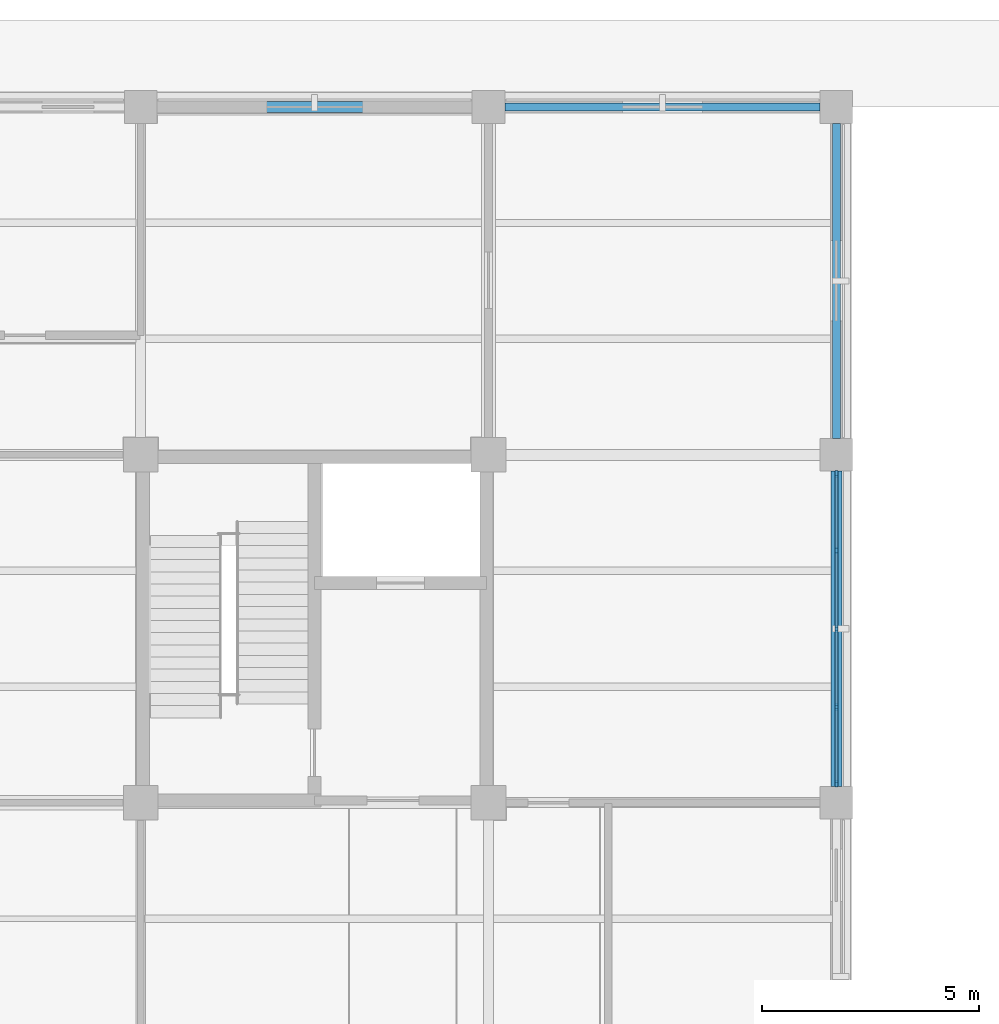
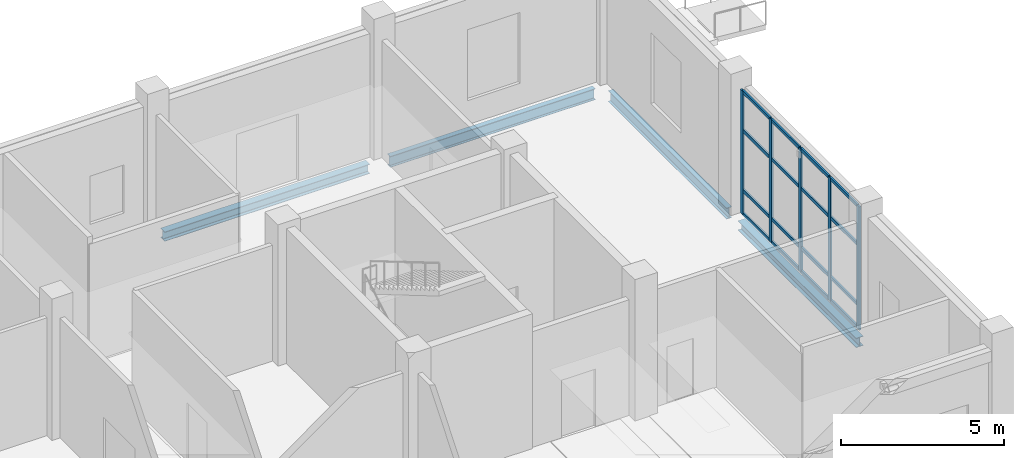
# One storey, part 29 of 105: 21 members, 4 beams, 1 element without a shape of its own.
"""IFC4 building model written with IfcOpenShell, lengths in metres."""

from ifc_helpers import new_model, si_unit, derived_unit, direction, frame, origin, origin_2d, place, context, subcontext, project, spatial, rectangle, i_section, extrude, material, layer, layer_set, material_profile, profile_set, type_object, element, aggregate, save


model = new_model("IFC4")

# Units and contexts
model_context = context("Model", 3, precision=1e-05, world=origin(), true_north=direction((0.0, 1.0)))
body_context = subcontext(model_context, "Body", "Model", "MODEL_VIEW")
ifc_project = project(units=[si_unit("LENGTHUNIT", "METRE"), si_unit("AREAUNIT", "SQUARE_METRE"), si_unit("VOLUMEUNIT", "CUBIC_METRE"), si_unit("PLANEANGLEUNIT", "RADIAN"), si_unit("MASSUNIT", "GRAM", prefix="KILO"), derived_unit("THERMALTRANSMITTANCEUNIT", [(si_unit("MASSUNIT", "GRAM", prefix="KILO"), 1), (si_unit("TIMEUNIT", "SECOND"), -3), (si_unit("THERMODYNAMICTEMPERATUREUNIT", "KELVIN"), -1)])], contexts=[model_context])

# Site, building, storey
site_placement = place(None, origin())
site = spatial("IfcSite", under=ifc_project, at=site_placement, CompositionType="ELEMENT")
building_placement = place(site_placement, origin())
building = spatial("IfcBuilding", under=site, at=building_placement, Name="Veyamyaing Civic Hall", CompositionType="ELEMENT")
storey_placement = place(building_placement, origin())
storey = spatial("IfcBuildingStorey", under=building, at=storey_placement, Name="L00", CompositionType="ELEMENT", Elevation=0.0)

# Beams
ifc_material_1 = material(Name="Steel ASTM A992", Category="steel")
ifc_material_profile_1 = material_profile(ifc_material_1, i_section(OverallWidth=0.179931640625, OverallDepth=0.4130859375, WebThickness=0.009765625, FlangeThickness=0.01611328125, FilletRadius=0.010009765625, at=origin_2d()), Name="W410X74")
ifc_profile_set_1 = profile_set([ifc_material_profile_1], Name="Steel ASTM A992")
beam_type_1 = type_object("IfcBeamType", Name="B-10", PredefinedType="SPANDREL", material=ifc_profile_set_1)
for number, where, z_axis, x_axis, name in (
    (1, (40.375, 112.0, -0.4814453125), (1.0, 0.0, 0.0), (0.0, 1.0, 0.0), "Girder B-10 L00 Grid Q 6-7"),
    (2, (48.0, 104.375, -0.4814453125), (0.0, 1.0, 0.0), (-1.0, 0.0, 0.0), "Girder B-10 L00 Grid 7 P-Q"),
):
    element("IfcBeam", number, at=place(storey_placement, frame(where, z_axis=z_axis, x_axis=x_axis)), inside=storey, type_object=beam_type_1, Name=name, PredefinedType="SPANDREL", context=body_context, shape_type="SweptSolid", body=[
        extrude(i_section(OverallWidth=0.179931640625, OverallDepth=0.4130859375, WebThickness=0.009765625, FlangeThickness=0.01611328125, FilletRadius=0.010009765625, at=origin_2d()), origin(), (0.0, 0.0, 1.0), 7.25),
    ])
ifc_material_profile_2 = material_profile(ifc_material_1, i_section(OverallWidth=0.25390625, OverallDepth=0.35302734375, WebThickness=0.009521484375, FlangeThickness=0.016357421875, FilletRadius=0.011962890625, at=origin_2d()), Name="W360X91")
ifc_profile_set_2 = profile_set([ifc_material_profile_2], Name="Steel ASTM A992")
beam_type_2 = type_object("IfcBeamType", Name="B-20", PredefinedType="SPANDREL", material=ifc_profile_set_2)
for number, where, z_axis, x_axis, name in (
    (3, (32.375, 112.0, -0.451416015625), (1.0, 0.0, 0.0), (0.0, 1.0, 0.0), "Girder B-20 L00 Grid Q 5-6"),
    (4, (48.0, 96.375, -0.451416015625), (0.0, 1.0, 0.0), (-1.0, 0.0, 0.0), "Girder B-20 L00 Grid 7 N-P"),
):
    element("IfcBeam", number, at=place(storey_placement, frame(where, z_axis=z_axis, x_axis=x_axis)), inside=storey, type_object=beam_type_2, Name=name, PredefinedType="SPANDREL", context=body_context, shape_type="SweptSolid", body=[
        extrude(i_section(OverallWidth=0.25390625, OverallDepth=0.35302734375, WebThickness=0.009521484375, FlangeThickness=0.016357421875, FilletRadius=0.011962890625, at=origin_2d()), origin(), (0.0, 0.0, 1.0), 7.25),
    ])

# Curtain wall, members
ifc_material_2 = material(Name="Anodised aluminium 6063-T6", Category="aluminium")
ifc_layer = layer(ifc_material_2, 0.159912109375, Name="Anodised aluminium 6063-T6")
ifc_layer_set = layer_set([ifc_layer], Name="Anodised aluminium 6063-T6")
curtain_wall_type = type_object("IfcCurtainWallType", Name="CW-01", PredefinedType="NOTDEFINED", material=ifc_layer_set)
curtain_wall_placement = place(storey_placement, origin())
curtain_wall = element("IfcCurtainWall", 5, at=curtain_wall_placement, inside=storey, type_object=curtain_wall_type, Name="Unitized curtain wall CW-01 L00 E 6.13", PredefinedType="NOTDEFINED")
ifc_material_profile_3 = material_profile(ifc_material_2, rectangle(XDim=0.06494140625, YDim=0.159912109375, at=origin_2d()), Name="ALU-MUL-65X160")
ifc_profile_set_3 = profile_set([ifc_material_profile_3], Name="Anodised aluminium 6063-T6")
member_type_1 = type_object("IfcMemberType", Name="CWM-01", PredefinedType="MULLION", material=ifc_profile_set_3)
member_1_placement = place(storey_placement, frame((48.0, 96.4375, 0.0), z_axis=(0.0, 0.0, 1.0), x_axis=(-1.0, 0.0, 0.0)))
member_1 = element("IfcMember", 6, at=member_1_placement, type_object=member_type_1, Name="CW-01 mullion 1", PredefinedType="MULLION", context=body_context, shape_type="SweptSolid", body=[
    extrude(rectangle(XDim=0.06494140625, YDim=0.159912109375, at=origin_2d()), origin(), (0.0, 0.0, 1.0), 4.614013671875),
])
member_2_placement = place(storey_placement, frame((48.0, 98.202392578125, 0.0), z_axis=(0.0, 0.0, 1.0), x_axis=(-1.0, 0.0, 0.0)))
member_2 = element("IfcMember", 7, at=member_2_placement, type_object=member_type_1, Name="CW-01 mullion 2", PredefinedType="MULLION", context=body_context, shape_type="SweptSolid", body=[
    extrude(rectangle(XDim=0.06494140625, YDim=0.159912109375, at=origin_2d()), origin(), (0.0, 0.0, 1.0), 4.614013671875),
])
member_3_placement = place(storey_placement, frame((48.0, 100.0, 0.0), z_axis=(0.0, 0.0, 1.0), x_axis=(-1.0, 0.0, 0.0)))
member_3 = element("IfcMember", 8, at=member_3_placement, type_object=member_type_1, Name="CW-01 mullion 3", PredefinedType="MULLION", context=body_context, shape_type="SweptSolid", body=[
    extrude(rectangle(XDim=0.06494140625, YDim=0.159912109375, at=origin_2d()), origin(), (0.0, 0.0, 1.0), 4.614013671875),
])
member_4_placement = place(storey_placement, frame((48.0, 101.797607421875, 0.0), z_axis=(0.0, 0.0, 1.0), x_axis=(-1.0, 0.0, 0.0)))
member_4 = element("IfcMember", 9, at=member_4_placement, type_object=member_type_1, Name="CW-01 mullion 4", PredefinedType="MULLION", context=body_context, shape_type="SweptSolid", body=[
    extrude(rectangle(XDim=0.06494140625, YDim=0.159912109375, at=origin_2d()), origin(), (0.0, 0.0, 1.0), 4.614013671875),
])
member_5_placement = place(storey_placement, frame((48.0, 103.5625, 0.0), z_axis=(0.0, 0.0, 1.0), x_axis=(-1.0, 0.0, 0.0)))
member_5 = element("IfcMember", 10, at=member_5_placement, type_object=member_type_1, Name="CW-01 mullion 5", PredefinedType="MULLION", context=body_context, shape_type="SweptSolid", body=[
    extrude(rectangle(XDim=0.06494140625, YDim=0.159912109375, at=origin_2d()), origin(), (0.0, 0.0, 1.0), 4.614013671875),
])
ifc_material_profile_4 = material_profile(ifc_material_2, rectangle(XDim=0.06494140625, YDim=0.1201171875, at=origin_2d()), Name="ALU-TRN-65X120")
ifc_profile_set_4 = profile_set([ifc_material_profile_4], Name="Anodised aluminium 6063-T6")
member_type_2 = type_object("IfcMemberType", Name="CWT-01", PredefinedType="USERDEFINED", material=ifc_profile_set_4)
member_6_placement = place(storey_placement, frame((48.0, 96.469970703125, 0.032470703125), z_axis=(0.0, 1.0, 0.0), x_axis=(-1.0, 0.0, 0.0)))
member_6 = element("IfcMember", 11, at=member_6_placement, type_object=member_type_2, Name="CW-01 transom 1.1", ObjectType="TRANSOM", PredefinedType="USERDEFINED", context=body_context, shape_type="SweptSolid", body=[
    extrude(rectangle(XDim=0.06494140625, YDim=0.1201171875, at=origin_2d()), origin(), (0.0, 0.0, 1.0), 1.699951171875),
])
member_7_placement = place(storey_placement, frame((48.0, 96.469970703125, 0.89990234375), z_axis=(0.0, 1.0, 0.0), x_axis=(-1.0, 0.0, 0.0)))
member_7 = element("IfcMember", 12, at=member_7_placement, type_object=member_type_2, Name="CW-01 transom 1.2", ObjectType="TRANSOM", PredefinedType="USERDEFINED", context=body_context, shape_type="SweptSolid", body=[
    extrude(rectangle(XDim=0.06494140625, YDim=0.1201171875, at=origin_2d()), origin(), (0.0, 0.0, 1.0), 1.699951171875),
])
member_8_placement = place(storey_placement, frame((48.0, 96.469970703125, 3.137451171875), z_axis=(0.0, 1.0, 0.0), x_axis=(-1.0, 0.0, 0.0)))
member_8 = element("IfcMember", 13, at=member_8_placement, type_object=member_type_2, Name="CW-01 transom 1.3", ObjectType="TRANSOM", PredefinedType="USERDEFINED", context=body_context, shape_type="SweptSolid", body=[
    extrude(rectangle(XDim=0.06494140625, YDim=0.1201171875, at=origin_2d()), origin(), (0.0, 0.0, 1.0), 1.699951171875),
])
member_9_placement = place(storey_placement, frame((48.0, 96.469970703125, 4.58154296875), z_axis=(0.0, 1.0, 0.0), x_axis=(-1.0, 0.0, 0.0)))
member_9 = element("IfcMember", 14, at=member_9_placement, type_object=member_type_2, Name="CW-01 transom 1.4", ObjectType="TRANSOM", PredefinedType="USERDEFINED", context=body_context, shape_type="SweptSolid", body=[
    extrude(rectangle(XDim=0.06494140625, YDim=0.1201171875, at=origin_2d()), origin(), (0.0, 0.0, 1.0), 1.699951171875),
])
member_10_placement = place(storey_placement, frame((48.0, 98.235107421875, 0.032470703125), z_axis=(0.0, 1.0, 0.0), x_axis=(-1.0, 0.0, 0.0)))
member_10 = element("IfcMember", 15, at=member_10_placement, type_object=member_type_2, Name="CW-01 transom 2.1", ObjectType="TRANSOM", PredefinedType="USERDEFINED", context=body_context, shape_type="SweptSolid", body=[
    extrude(rectangle(XDim=0.06494140625, YDim=0.1201171875, at=origin_2d()), origin(), (0.0, 0.0, 1.0), 1.732421875),
])
member_11_placement = place(storey_placement, frame((48.0, 98.235107421875, 0.89990234375), z_axis=(0.0, 1.0, 0.0), x_axis=(-1.0, 0.0, 0.0)))
member_11 = element("IfcMember", 16, at=member_11_placement, type_object=member_type_2, Name="CW-01 transom 2.2", ObjectType="TRANSOM", PredefinedType="USERDEFINED", context=body_context, shape_type="SweptSolid", body=[
    extrude(rectangle(XDim=0.06494140625, YDim=0.1201171875, at=origin_2d()), origin(), (0.0, 0.0, 1.0), 1.732421875),
])
member_12_placement = place(storey_placement, frame((48.0, 98.235107421875, 3.137451171875), z_axis=(0.0, 1.0, 0.0), x_axis=(-1.0, 0.0, 0.0)))
member_12 = element("IfcMember", 17, at=member_12_placement, type_object=member_type_2, Name="CW-01 transom 2.3", ObjectType="TRANSOM", PredefinedType="USERDEFINED", context=body_context, shape_type="SweptSolid", body=[
    extrude(rectangle(XDim=0.06494140625, YDim=0.1201171875, at=origin_2d()), origin(), (0.0, 0.0, 1.0), 1.732421875),
])
member_13_placement = place(storey_placement, frame((48.0, 98.235107421875, 4.58154296875), z_axis=(0.0, 1.0, 0.0), x_axis=(-1.0, 0.0, 0.0)))
member_13 = element("IfcMember", 18, at=member_13_placement, type_object=member_type_2, Name="CW-01 transom 2.4", ObjectType="TRANSOM", PredefinedType="USERDEFINED", context=body_context, shape_type="SweptSolid", body=[
    extrude(rectangle(XDim=0.06494140625, YDim=0.1201171875, at=origin_2d()), origin(), (0.0, 0.0, 1.0), 1.732421875),
])
member_14_placement = place(storey_placement, frame((48.0, 100.032470703125, 0.032470703125), z_axis=(0.0, 1.0, 0.0), x_axis=(-1.0, 0.0, 0.0)))
member_14 = element("IfcMember", 19, at=member_14_placement, type_object=member_type_2, Name="CW-01 transom 3.1", ObjectType="TRANSOM", PredefinedType="USERDEFINED", context=body_context, shape_type="SweptSolid", body=[
    extrude(rectangle(XDim=0.06494140625, YDim=0.1201171875, at=origin_2d()), origin(), (0.0, 0.0, 1.0), 1.732421875),
])
member_15_placement = place(storey_placement, frame((48.0, 100.032470703125, 0.89990234375), z_axis=(0.0, 1.0, 0.0), x_axis=(-1.0, 0.0, 0.0)))
member_15 = element("IfcMember", 20, at=member_15_placement, type_object=member_type_2, Name="CW-01 transom 3.2", ObjectType="TRANSOM", PredefinedType="USERDEFINED", context=body_context, shape_type="SweptSolid", body=[
    extrude(rectangle(XDim=0.06494140625, YDim=0.1201171875, at=origin_2d()), origin(), (0.0, 0.0, 1.0), 1.732421875),
])
member_16_placement = place(storey_placement, frame((48.0, 100.032470703125, 3.137451171875), z_axis=(0.0, 1.0, 0.0), x_axis=(-1.0, 0.0, 0.0)))
member_16 = element("IfcMember", 21, at=member_16_placement, type_object=member_type_2, Name="CW-01 transom 3.3", ObjectType="TRANSOM", PredefinedType="USERDEFINED", context=body_context, shape_type="SweptSolid", body=[
    extrude(rectangle(XDim=0.06494140625, YDim=0.1201171875, at=origin_2d()), origin(), (0.0, 0.0, 1.0), 1.732421875),
])
member_17_placement = place(storey_placement, frame((48.0, 100.032470703125, 4.58154296875), z_axis=(0.0, 1.0, 0.0), x_axis=(-1.0, 0.0, 0.0)))
member_17 = element("IfcMember", 22, at=member_17_placement, type_object=member_type_2, Name="CW-01 transom 3.4", ObjectType="TRANSOM", PredefinedType="USERDEFINED", context=body_context, shape_type="SweptSolid", body=[
    extrude(rectangle(XDim=0.06494140625, YDim=0.1201171875, at=origin_2d()), origin(), (0.0, 0.0, 1.0), 1.732421875),
])
member_18_placement = place(storey_placement, frame((48.0, 101.830078125, 0.032470703125), z_axis=(0.0, 1.0, 0.0), x_axis=(-1.0, 0.0, 0.0)))
member_18 = element("IfcMember", 23, at=member_18_placement, type_object=member_type_2, Name="CW-01 transom 4.1", ObjectType="TRANSOM", PredefinedType="USERDEFINED", context=body_context, shape_type="SweptSolid", body=[
    extrude(rectangle(XDim=0.06494140625, YDim=0.1201171875, at=origin_2d()), origin(), (0.0, 0.0, 1.0), 1.699951171875),
])
member_19_placement = place(storey_placement, frame((48.0, 101.830078125, 0.89990234375), z_axis=(0.0, 1.0, 0.0), x_axis=(-1.0, 0.0, 0.0)))
member_19 = element("IfcMember", 24, at=member_19_placement, type_object=member_type_2, Name="CW-01 transom 4.2", ObjectType="TRANSOM", PredefinedType="USERDEFINED", context=body_context, shape_type="SweptSolid", body=[
    extrude(rectangle(XDim=0.06494140625, YDim=0.1201171875, at=origin_2d()), origin(), (0.0, 0.0, 1.0), 1.699951171875),
])
member_20_placement = place(storey_placement, frame((48.0, 101.830078125, 3.137451171875), z_axis=(0.0, 1.0, 0.0), x_axis=(-1.0, 0.0, 0.0)))
member_20 = element("IfcMember", 25, at=member_20_placement, type_object=member_type_2, Name="CW-01 transom 4.3", ObjectType="TRANSOM", PredefinedType="USERDEFINED", context=body_context, shape_type="SweptSolid", body=[
    extrude(rectangle(XDim=0.06494140625, YDim=0.1201171875, at=origin_2d()), origin(), (0.0, 0.0, 1.0), 1.699951171875),
])
member_21_placement = place(storey_placement, frame((48.0, 101.830078125, 4.58154296875), z_axis=(0.0, 1.0, 0.0), x_axis=(-1.0, 0.0, 0.0)))
member_21 = element("IfcMember", 26, at=member_21_placement, type_object=member_type_2, Name="CW-01 transom 4.4", ObjectType="TRANSOM", PredefinedType="USERDEFINED", context=body_context, shape_type="SweptSolid", body=[
    extrude(rectangle(XDim=0.06494140625, YDim=0.1201171875, at=origin_2d()), origin(), (0.0, 0.0, 1.0), 1.699951171875),
])
aggregate(curtain_wall, [member_1, member_2, member_3, member_4, member_5, member_6, member_7, member_8, member_9, member_10, member_11, member_12, member_13, member_14, member_15, member_16, member_17, member_18, member_19, member_20, member_21])

save(model, "model.ifc")
